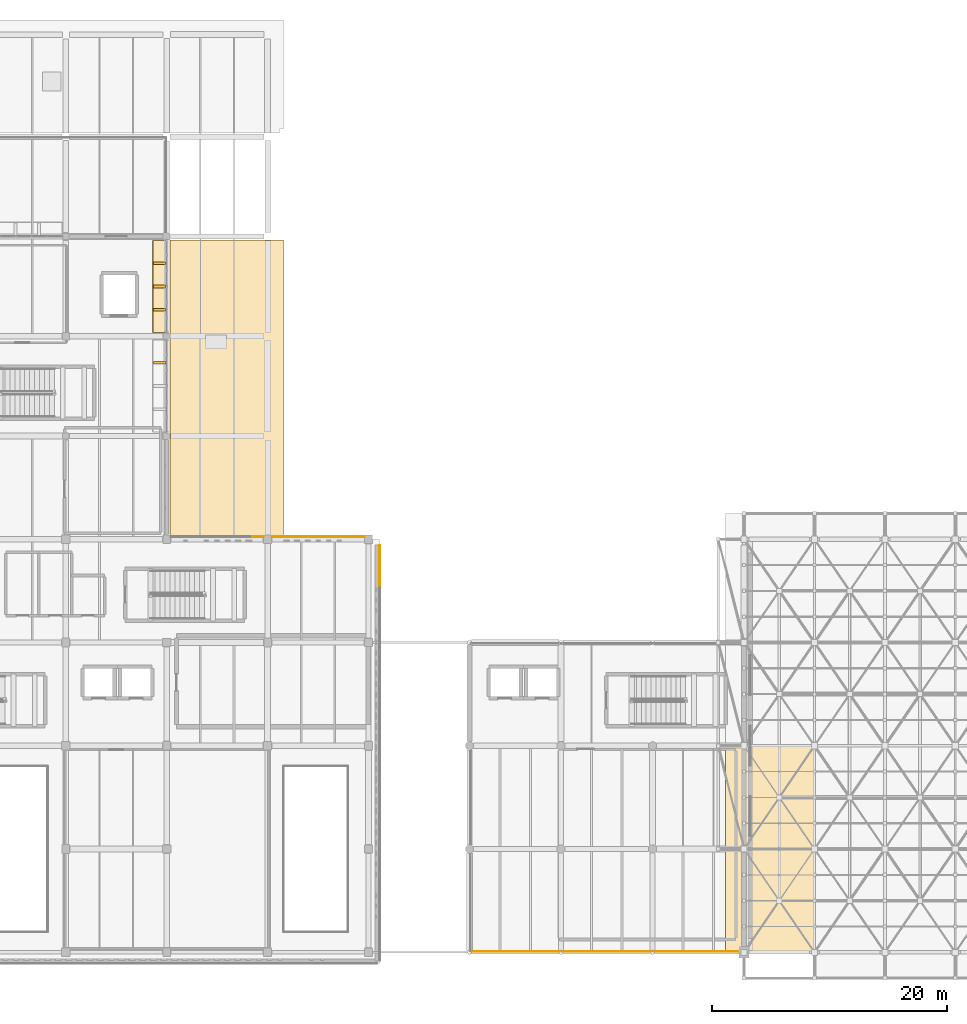
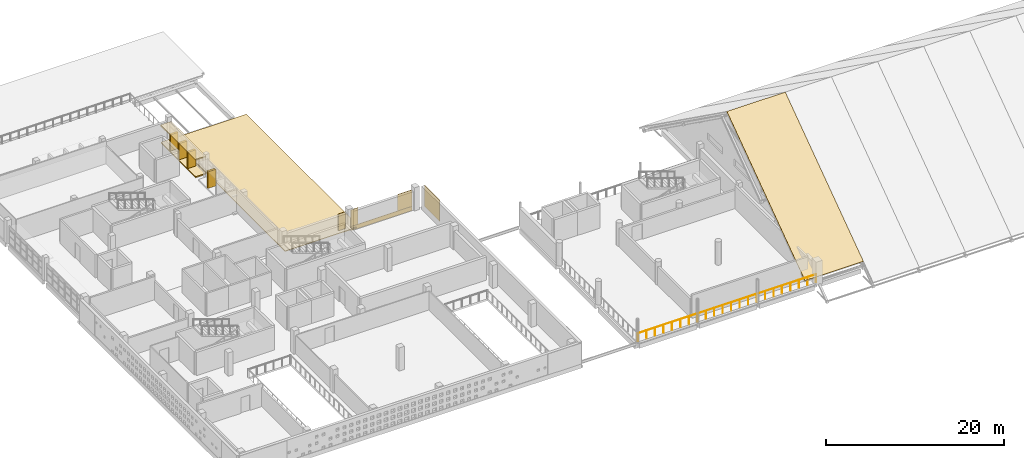
# One storey, part 52 of 55: 9 coverings, 4 shading devices, 1 railing.
"""IFC4 building model written with IfcOpenShell, lengths in metres."""

from ifc_helpers import new_model, si_unit, direction, frame, origin, origin_2d, place, context, subcontext, project, spatial, polyline, rectangle, circle, outline, extrude, material, layer, layer_set, type_object, element, save


model = new_model("IFC4")

# Units and contexts
model_context = context("Model", 3, precision=1e-05, world=origin(), true_north=direction((0.0, 1.0)))
body_context = subcontext(model_context, "Body", "Model", "MODEL_VIEW")
ifc_project = project(units=[si_unit("LENGTHUNIT", "METRE"), si_unit("AREAUNIT", "SQUARE_METRE"), si_unit("VOLUMEUNIT", "CUBIC_METRE"), si_unit("PLANEANGLEUNIT", "RADIAN"), si_unit("MASSUNIT", "GRAM", prefix="KILO")], contexts=[model_context])

# Site, building, storey
site_placement = place(None, origin())
site = spatial("IfcSite", under=ifc_project, at=site_placement, CompositionType="ELEMENT")
building_placement = place(site_placement, origin())
building = spatial("IfcBuilding", under=site, at=building_placement, Name="Varnakota Cinema and Media Centre", CompositionType="ELEMENT")
storey_placement = place(building_placement, frame((0.0, 0.0, 15.60009765625)))
storey = spatial("IfcBuildingStorey", under=building, at=storey_placement, Name="L04", CompositionType="ELEMENT", Elevation=15.60009765625)

# Coverings
ifc_material_1 = material(Name="Precast concrete M40", Category="concrete")
ifc_layer_1 = layer(ifc_material_1, 0.159912109375)
ifc_layer_set_1 = layer_set([ifc_layer_1], Name="Precast concrete M40")
covering_type_1 = type_object("IfcCoveringType", Name="COV-CHAJJA-160", PredefinedType="CLADDING", material=ifc_layer_set_1)
covering_1_placement = place(storey_placement, frame((0.0, 0.0, 2.375)))
element("IfcCovering", 1, at=covering_1_placement, inside=storey, type_object=covering_type_1, Name="L04 Brutalist chajja overhang V5-E-3", PredefinedType="CLADDING", context=body_context, shape_type="SweptSolid", body=[
    extrude(outline(polyline([(25.97998046875, 52.81494140625), (25.97998046875, 60.659912109375), (24.580078125, 60.659912109375), (24.580078125, 52.81494140625), (25.97998046875, 52.81494140625)])), origin(), (0.0, 0.0, 1.0), 0.159912109375),
])
covering_2_placement = place(storey_placement, origin())
element("IfcCovering", 2, at=covering_2_placement, inside=storey, type_object=covering_type_1, Name="L04 brise-soleil base plinth V5-E-3", PredefinedType="CLADDING", context=body_context, shape_type="SweptSolid", body=[
    extrude(outline(polyline([(25.97998046875, 52.81494140625), (25.97998046875, 60.659912109375), (24.6201171875, 60.659912109375), (24.6201171875, 52.81494140625), (25.97998046875, 52.81494140625)])), origin(), (0.0, 0.0, 1.0), 0.159912109375),
])
ifc_material_2 = material(Name="Pale Tandur limestone cool roof", Category="masonry")
ifc_layer_2 = layer(ifc_material_2, 0.080078125)
ifc_layer_set_2 = layer_set([ifc_layer_2], Name="Pale Tandur limestone cool roof")
covering_type_2 = type_object("IfcCoveringType", Name="COV-COOLROOF-80", PredefinedType="ROOFING", material=ifc_layer_set_2)
covering_3_placement = place(storey_placement, frame((73.39990234375, 0.0, 0.809814453125), z_axis=(0.0, -0.582112747717, 0.813108079498), x_axis=(1.0, 0.0, 0.0)))
element("IfcCovering", 3, at=covering_3_placement, inside=storey, type_object=covering_type_2, Name="V1 cool-roof acoustic standing-seam panel S-1", PredefinedType="ROOFING", context=body_context, shape_type="SweptSolid", body=[
    extrude(outline(polyline([(0.0, 0.0), (7.60009765625, 0.0), (7.60009765625, 21.645459072437653), (0.0, 21.645459072437653), (0.0, 0.0)])), origin(), (0.0, 0.0, -1.0), 0.080078125),
])
covering_4_placement = place(storey_placement, origin())
element("IfcCovering", 4, at=covering_4_placement, inside=storey, type_object=covering_type_2, Name="L04 cool roof membrane ROOF-V5-STAGE-E", PredefinedType="ROOFING", context=body_context, shape_type="SweptSolid", body=[
    extrude(outline(polyline([(26.10009765625, 35.219970703125), (35.39990234375, 35.219970703125), (35.39990234375, 35.570068359375), (35.75, 35.570068359375), (35.75, 60.699951171875), (26.10009765625, 60.699951171875), (26.10009765625, 35.219970703125)])), origin(), (0.0, 0.0, 1.0), 0.079833984375),
])
ifc_material_3 = material(Name="Pale Tandur limestone cladding", Category="masonry")
ifc_layer_3 = layer(ifc_material_3, 0.06005859375)
ifc_layer_set_3 = layer_set([ifc_layer_3], Name="Pale Tandur limestone cladding")
covering_type_3 = type_object("IfcCoveringType", Name="COV-TANDUR-ASHLAR-60", PredefinedType="CLADDING", material=ifc_layer_set_3)
covering_5_placement = place(storey_placement, frame((43.945068359375, 32.97509765625, 0.329833984375), z_axis=(0.0, 0.0, 1.0), x_axis=(0.0, -1.0, 0.0)))
element("IfcCovering", 5, at=covering_5_placement, inside=storey, type_object=covering_type_3, Name="L04 V4 pale Tandur stone left corner ashlar V4-E", PredefinedType="CLADDING", context=body_context, shape_type="SweptSolid", body=[
    extrude(rectangle(XDim=3.449951171875, YDim=0.06005859375, at=origin_2d()), origin(), (0.0, 0.0, 1.0), 2.8701171875),
])
covering_6_placement = place(storey_placement, frame((33.578857421875, 35.405029296875, 0.330078125), z_axis=(0.0, 0.0, 1.0), x_axis=(1.0, 0.0, 0.0)))
element("IfcCovering", 6, at=covering_6_placement, inside=storey, type_object=covering_type_3, Name="L04 V4 pale Tandur stone right corner ashlar V4-N-01", PredefinedType="CLADDING", context=body_context, shape_type="SweptSolid", body=[
    extrude(rectangle(XDim=0.9423828125, YDim=0.06005859375, at=origin_2d()), origin(), (0.0, 0.0, 1.0), 2.2548828125),
])
covering_7_placement = place(storey_placement, frame((38.71240234375, 35.405029296875, -0.250244140625), z_axis=(0.0, 0.0, 1.0), x_axis=(1.0, 0.0, 0.0)))
element("IfcCovering", 7, at=covering_7_placement, inside=storey, type_object=covering_type_3, Name="L04 V4 pale Tandur stone spandrel ashlar V4-N-02", PredefinedType="CLADDING", context=body_context, shape_type="SweptSolid", body=[
    extrude(rectangle(XDim=7.925048828125, YDim=0.06005859375, at=origin_2d()), origin(), (0.0, 0.0, 1.0), 0.580078125),
])
covering_8_placement = place(storey_placement, frame((35.22119140625, 35.405029296875, 0.330078125), z_axis=(0.0, 0.0, 1.0), x_axis=(1.0, 0.0, 0.0)))
element("IfcCovering", 8, at=covering_8_placement, inside=storey, type_object=covering_type_3, Name="L04 V4 pale Tandur stone left corner ashlar V4-N-02", PredefinedType="CLADDING", context=body_context, shape_type="SweptSolid", body=[
    extrude(rectangle(XDim=0.9423828125, YDim=0.06005859375, at=origin_2d()), origin(), (0.0, 0.0, 1.0), 2.2548828125),
])
covering_9_placement = place(storey_placement, frame((41.753662109375, 35.405029296875, 0.330078125), z_axis=(0.0, 0.0, 1.0), x_axis=(1.0, 0.0, 0.0)))
element("IfcCovering", 9, at=covering_9_placement, inside=storey, type_object=covering_type_3, Name="L04 V4 pale Tandur stone right corner ashlar V4-N-02", PredefinedType="CLADDING", context=body_context, shape_type="SweptSolid", body=[
    extrude(rectangle(XDim=1.842529296875, YDim=0.06005859375, at=origin_2d()), origin(), (0.0, 0.0, 1.0), 2.2548828125),
])

# Railing
ifc_material_4 = material(Name="Anodised golden-bronze steel Grade 350 (E350)", Category="steel")
ifc_layer_4 = layer(ifc_material_4, 0.050048828125)
ifc_layer_set_4 = layer_set([ifc_layer_4], Name="Anodised golden-bronze steel Grade 350 (E350)")
railing_type = type_object("IfcRailingType", Name="RAIL-GUARD-1150", PredefinedType="BALUSTRADE", material=ifc_layer_set_4)
railing_placement = place(storey_placement, frame((51.7099609375, 0.080078125, 0.0)))
element("IfcRailing", 10, at=railing_placement, inside=storey, type_object=railing_type, Name="L04 guard balustrade GRD-V6GAL-S-L04-1", PredefinedType="BALUSTRADE", context=body_context, shape_type="SweptSolid", body=[
    extrude(circle(Radius=0.02392578125, at=origin_2d()), frame((0.0, 0.0, 1.1259765625), z_axis=(1.0, 0.0, 0.0), x_axis=(0.0, 1.0, 0.0)), (0.0, 0.0, 1.0), 23.179931640625),
    extrude(circle(Radius=0.02099609375, at=origin_2d()), origin(), (0.0, 0.0, 1.0), 1.101806640625),
    extrude(circle(Radius=0.02099609375, at=origin_2d()), frame((1.103759765625, 0.0, 0.0)), (0.0, 0.0, 1.0), 1.101806640625),
    extrude(circle(Radius=0.02099609375, at=origin_2d()), frame((2.20751953125, 0.0, 0.0)), (0.0, 0.0, 1.0), 1.101806640625),
    extrude(circle(Radius=0.02099609375, at=origin_2d()), frame((3.3115234375, 0.0, 0.0)), (0.0, 0.0, 1.0), 1.101806640625),
    extrude(circle(Radius=0.02099609375, at=origin_2d()), frame((4.415283203125, 0.0, 0.0)), (0.0, 0.0, 1.0), 1.101806640625),
    extrude(circle(Radius=0.02099609375, at=origin_2d()), frame((5.51904296875, 0.0, 0.0)), (0.0, 0.0, 1.0), 1.101806640625),
    extrude(circle(Radius=0.02099609375, at=origin_2d()), frame((6.622802734375, 0.0, 0.0)), (0.0, 0.0, 1.0), 1.101806640625),
    extrude(circle(Radius=0.02099609375, at=origin_2d()), frame((7.7265625, 0.0, 0.0)), (0.0, 0.0, 1.0), 1.101806640625),
    extrude(circle(Radius=0.02099609375, at=origin_2d()), frame((8.83056640625, 0.0, 0.0)), (0.0, 0.0, 1.0), 1.101806640625),
    extrude(circle(Radius=0.02099609375, at=origin_2d()), frame((9.934326171875, 0.0, 0.0)), (0.0, 0.0, 1.0), 1.101806640625),
    extrude(circle(Radius=0.02099609375, at=origin_2d()), frame((11.0380859375, 0.0, 0.0)), (0.0, 0.0, 1.0), 1.101806640625),
    extrude(circle(Radius=0.02099609375, at=origin_2d()), frame((12.141845703125, 0.0, 0.0)), (0.0, 0.0, 1.0), 1.101806640625),
    extrude(circle(Radius=0.02099609375, at=origin_2d()), frame((13.24560546875, 0.0, 0.0)), (0.0, 0.0, 1.0), 1.101806640625),
    extrude(circle(Radius=0.02099609375, at=origin_2d()), frame((14.349365234375, 0.0, 0.0)), (0.0, 0.0, 1.0), 1.101806640625),
    extrude(circle(Radius=0.02099609375, at=origin_2d()), frame((15.453369140625, 0.0, 0.0)), (0.0, 0.0, 1.0), 1.101806640625),
    extrude(circle(Radius=0.02099609375, at=origin_2d()), frame((16.55712890625, 0.0, 0.0)), (0.0, 0.0, 1.0), 1.101806640625),
    extrude(circle(Radius=0.02099609375, at=origin_2d()), frame((17.660888671875, 0.0, 0.0)), (0.0, 0.0, 1.0), 1.101806640625),
    extrude(circle(Radius=0.02099609375, at=origin_2d()), frame((18.7646484375, 0.0, 0.0)), (0.0, 0.0, 1.0), 1.101806640625),
    extrude(circle(Radius=0.02099609375, at=origin_2d()), frame((19.868408203125, 0.0, 0.0)), (0.0, 0.0, 1.0), 1.101806640625),
    extrude(circle(Radius=0.02099609375, at=origin_2d()), frame((20.972412109375, 0.0, 0.0)), (0.0, 0.0, 1.0), 1.101806640625),
    extrude(circle(Radius=0.02099609375, at=origin_2d()), frame((22.076171875, 0.0, 0.0)), (0.0, 0.0, 1.0), 1.101806640625),
    extrude(circle(Radius=0.02099609375, at=origin_2d()), frame((23.179931640625, 0.0, 0.0)), (0.0, 0.0, 1.0), 1.101806640625),
])

# Shading devices
ifc_material_5 = material(Name="Precast concrete M40", Category="concrete")
shading_device_type = type_object("IfcShadingDeviceType", Name="SHD-BRISE-FIN-240", PredefinedType="JALOUSIE", material=ifc_material_5)
shading_device_placement = place(storey_placement, frame((25.169921875, 50.243896484375, 0.14990234375), z_axis=(0.0, 0.0, 1.0), x_axis=(0.0, 1.0, 0.0)))
element("IfcShadingDevice", 11, at=shading_device_placement, inside=storey, type_object=shading_device_type, Name="L04 vertical concrete brise-soleil fin V5-E-2.3", PredefinedType="JALOUSIE", context=body_context, shape_type="SweptSolid", body=[
    extrude(rectangle(XDim=0.239990234375, YDim=1.02001953125, at=origin_2d()), origin(), (0.0, 0.0, 1.0), 2.284912109375),
])
for number, where, z_axis, x_axis, name in (
    (12, (25.169921875, 54.75634765625, 0.14990234375), (0.0, 0.0, 1.0), (0.0, 1.0, 0.0), "L04 vertical concrete brise-soleil fin V5-E-3.1"),
    (13, (25.169921875, 56.737548828125, 0.14990234375), (0.0, 0.0, 1.0), (0.0, 1.0, 0.0), "L04 vertical concrete brise-soleil fin V5-E-3.2"),
    (14, (25.169921875, 58.71875, 0.14990234375), (0.0, 0.0, 1.0), (0.0, 1.0, 0.0), "L04 vertical concrete brise-soleil fin V5-E-3.3"),
):
    element("IfcShadingDevice", number, at=place(storey_placement, frame(where, z_axis=z_axis, x_axis=x_axis)), inside=storey, type_object=shading_device_type, Name=name, PredefinedType="JALOUSIE", context=body_context, shape_type="SweptSolid", body=[
        extrude(rectangle(XDim=0.239990234375, YDim=1.02001953125, at=origin_2d()), origin(), (0.0, 0.0, 1.0), 2.235107421875),
    ])

save(model, "model.ifc")
